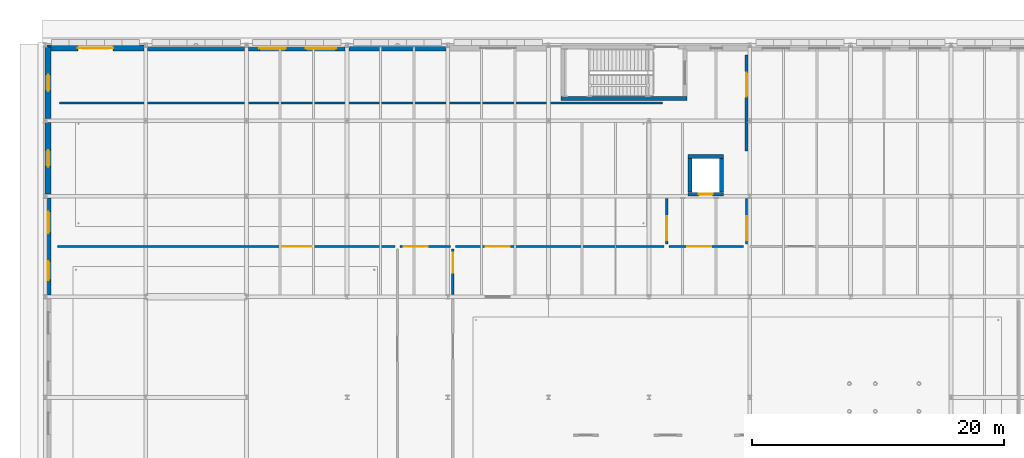
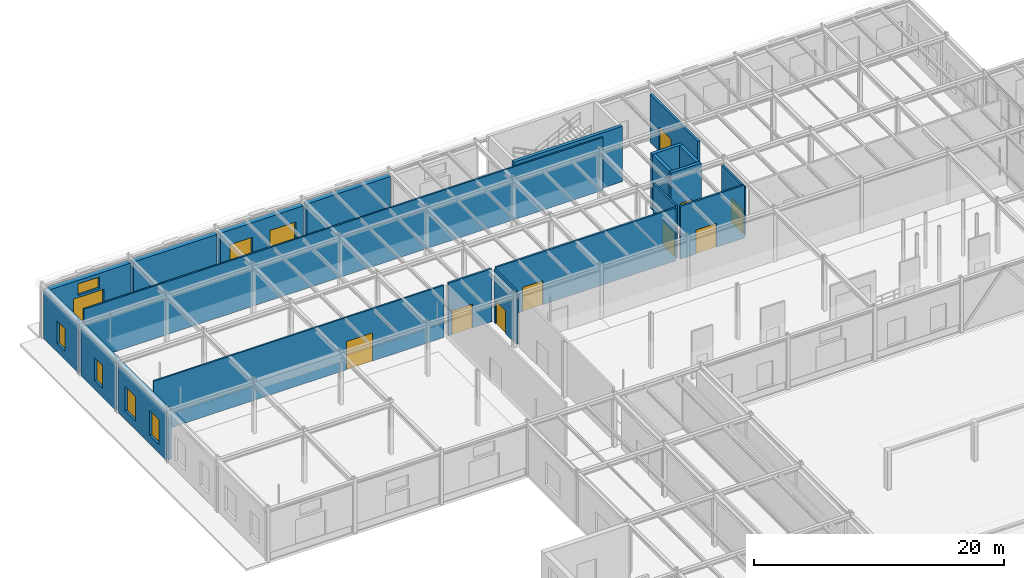
# One storey, part 81 of 129: 21 walls, 10 doors, 7 windows, 17 openings.
"""IFC4 building model written with IfcOpenShell, lengths in metres."""

from ifc_helpers import new_model, si_unit, direction, frame, frame_2d, origin, place, context, subcontext, project, spatial, rectangle, extrude, material, layer, layer_set, type_object, element, fill, save


model = new_model("IFC4")

# Units and contexts
model_context = context("Model", 3, precision=1e-05, world=origin(), true_north=direction((0.0, 1.0)))
body_context = subcontext(model_context, "Body", "Model", "MODEL_VIEW")
ifc_project = project(units=[si_unit("LENGTHUNIT", "METRE"), si_unit("AREAUNIT", "SQUARE_METRE"), si_unit("VOLUMEUNIT", "CUBIC_METRE"), si_unit("PLANEANGLEUNIT", "RADIAN"), si_unit("MASSUNIT", "GRAM", prefix="KILO")], contexts=[model_context])

# Site, building, storey
site_placement = place(None, origin())
site = spatial("IfcSite", under=ifc_project, at=site_placement, CompositionType="ELEMENT")
building_placement = place(site_placement, origin())
building = spatial("IfcBuilding", under=site, at=building_placement, Name="Sundkrona Museum", CompositionType="ELEMENT")
storey_placement = place(building_placement, origin())
storey = spatial("IfcBuildingStorey", under=building, at=storey_placement, Name="L00", CompositionType="ELEMENT", Elevation=0.0)

# Wall
ifc_material_1 = material(Name="Concrete C40/50", Category="concrete")
ifc_layer_1 = layer(ifc_material_1, 0.300048828125)
ifc_layer_set_1 = layer_set([ifc_layer_1], Name="Concrete C40/50")
wall_type_1 = type_object("IfcWallType", Name="W-CORE-300", PredefinedType="SHEAR", material=ifc_layer_set_1)
wall_1_placement = place(storey_placement, frame((41.0, 109.75, 0.0), z_axis=(0.0, 0.0, 1.0), x_axis=(1.0, 0.0, 0.0)))
element("IfcWall", 1, at=wall_1_placement, inside=storey, type_object=wall_type_1, Name="L00 ST-3 Core Shear Wall South", PredefinedType="SHEAR", context=body_context, shape_type="SweptSolid", body=[
    extrude(rectangle(XDim=10.0, YDim=0.300048828125, at=frame_2d((5.0, 0.0))), origin(), (0.0, 0.0, 1.0), 5.39990234375),
])

# Wall, opening, door
wall_2_placement = place(storey_placement, frame((51.10009765625, 102.14990234375, 0.0), z_axis=(0.0, 0.0, 1.0), x_axis=(1.0, 0.0, 0.0)))
wall_2 = element("IfcWall", 2, at=wall_2_placement, inside=storey, type_object=wall_type_1, Name="L00 PL-3 Lift Shaft Wall South", PredefinedType="SHEAR", context=body_context, shape_type="SweptSolid", body=[
    extrude(rectangle(XDim=2.7998046875, YDim=0.300048828125, at=frame_2d((1.39990234375, 0.0))), origin(), (0.0, 0.0, 1.0), 5.39990234375),
])
opening_1_placement = place(wall_2_placement, frame((0.85009765625, 0.0, 0.0)))
opening_1 = element("IfcOpeningElement", 3, at=opening_1_placement, cuts=wall_2, Name="Opening LD-01", PredefinedType="OPENING", context=body_context, shape_type="SweptSolid", body=[
    extrude(rectangle(XDim=1.10009765625, YDim=2.14990234375, at=frame_2d((0.550048828125, 1.074951171875))), frame((0.0, 0.159912109375, 0.0), z_axis=(0.0, -1.0, 0.0), x_axis=(1.0, 0.0, 0.0)), (0.0, 0.0, 1.0), 0.320068359375),
])
ifc_material_2 = material(Name="Brushed Stainless Steel Lift Door", Category="steel")
door_type_1 = type_object("IfcDoorType", Name="LD-01", OperationType="SLIDING_TO_LEFT", PredefinedType="DOOR", material=ifc_material_2)
door_1_placement = place(opening_1_placement, origin())
door_1 = element("IfcDoor", 4, at=door_1_placement, inside=storey, type_object=door_type_1, Name="L00 North-West Gallery Passenger Lift PL-3 Landing Door DR-LIFT-PL-3-L00", OperationType="SLIDING_TO_LEFT", OverallHeight=2.14990234375, OverallWidth=1.10009765625, PredefinedType="DOOR", context=body_context, shape_type="SweptSolid", body=[
    extrude(rectangle(XDim=1.10009765625, YDim=2.14990234375, at=frame_2d((0.550048828125, 1.074951171875))), frame((0.0, 0.02490234375, 0.0), z_axis=(0.0, -1.0, 0.0), x_axis=(1.0, 0.0, 0.0)), (0.0, 0.0, 1.0), 0.050048828125),
])
fill(opening_1, door_1)

# Walls
wall_3_placement = place(storey_placement, frame((51.10009765625, 105.14990234375, 0.0), z_axis=(0.0, 0.0, 1.0), x_axis=(1.0, 0.0, 0.0)))
element("IfcWall", 5, at=wall_3_placement, inside=storey, type_object=wall_type_1, Name="L00 PL-3 Lift Shaft Wall North", PredefinedType="SHEAR", context=body_context, shape_type="SweptSolid", body=[
    extrude(rectangle(XDim=2.7998046875, YDim=0.300048828125, at=frame_2d((1.39990234375, 0.0))), origin(), (0.0, 0.0, 1.0), 5.39990234375),
])
for number, where, z_axis, x_axis, name in (
    (6, (51.25, 102.31005859375, 0.0), (0.0, 0.0, 1.0), (0.0, 1.0, 0.0), "L00 PL-3 Lift Shaft Wall West"),
    (7, (53.75, 102.31005859375, 0.0), (0.0, 0.0, 1.0), (0.0, 1.0, 0.0), "L00 PL-3 Lift Shaft Wall East"),
):
    element("IfcWall", number, at=place(storey_placement, frame(where, z_axis=z_axis, x_axis=x_axis)), inside=storey, type_object=wall_type_1, Name=name, PredefinedType="SHEAR", context=body_context, shape_type="SweptSolid", body=[
        extrude(rectangle(XDim=2.679931640625, YDim=0.300048828125, at=frame_2d((1.33984375, 0.0))), origin(), (0.0, 0.0, 1.0), 5.39990234375),
    ])

# Wall, opening, door
ifc_material_3 = material(Name="Autoclaved Aerated Masonry 225 mm", Category="masonry")
ifc_layer_2 = layer(ifc_material_3, 0.22509765625)
ifc_layer_set_2 = layer_set([ifc_layer_2], Name="Autoclaved Aerated Masonry 225 mm")
wall_type_2 = type_object("IfcWallType", Name="W-FF-225", PredefinedType="SOLIDWALL", material=ifc_layer_set_2)
wall_4_placement = place(storey_placement, frame((55.75, 105.60009765625, 0.0), z_axis=(0.0, 0.0, 1.0), x_axis=(0.0, 1.0, 0.0)))
wall_4 = element("IfcWall", 8, at=wall_4_placement, inside=storey, type_object=wall_type_2, Name="L00 Partition Core 3 Stair Lobby / Covered Cycle Store", PredefinedType="SOLIDWALL", context=body_context, shape_type="SweptSolid", body=[
    extrude(rectangle(XDim=7.599853515625, YDim=0.22509765625, at=frame_2d((3.7998046875, 0.0))), origin(), (0.0, 0.0, 1.0), 4.719970703125),
])
opening_2_placement = place(wall_4_placement, frame((4.30712890625, 0.0, 0.0)))
opening_2 = element("IfcOpeningElement", 9, at=opening_2_placement, cuts=wall_4, Name="Opening D-AUD-190", PredefinedType="OPENING", context=body_context, shape_type="SweptSolid", body=[
    extrude(rectangle(XDim=1.89990234375, YDim=2.35009765625, at=frame_2d((0.949951171875, 1.175048828125))), frame((0.0, 0.12255859375, 0.0), z_axis=(0.0, -1.0, 0.0), x_axis=(1.0, 0.0, 0.0)), (0.0, 0.0, 1.0), 0.2451171875),
])
ifc_material_4 = material(Name="Acoustic Oak Fire Door", Category="other")
door_type_2 = type_object("IfcDoorType", Name="D-AUD-190", OperationType="DOUBLE_DOOR_SINGLE_SWING", PredefinedType="DOOR", material=ifc_material_4)
door_2_placement = place(opening_2_placement, origin())
door_2 = element("IfcDoor", 10, at=door_2_placement, inside=storey, type_object=door_type_2, Name="L00 Interior Door DR-ADJ-L00-0037", OperationType="DOUBLE_DOOR_SINGLE_SWING", OverallHeight=2.35009765625, OverallWidth=1.89990234375, PredefinedType="DOOR", context=body_context, shape_type="SweptSolid", body=[
    extrude(rectangle(XDim=1.89990234375, YDim=2.35009765625, at=frame_2d((0.949951171875, 1.175048828125))), frame((0.0, 0.02490234375, 0.0), z_axis=(0.0, -1.0, 0.0), x_axis=(1.0, 0.0, 0.0)), (0.0, 0.0, 1.0), 0.050048828125),
])
fill(opening_2, door_2)

# Wall, openings, windows
ifc_material_5 = material(Name="Danian Limestone Ashlar Masonry 480 mm", Category="masonry")
ifc_layer_3 = layer(ifc_material_5, 0.47998046875)
ifc_layer_set_3 = layer_set([ifc_layer_3], Name="Danian Limestone Ashlar Masonry 480 mm")
wall_type_3 = type_object("IfcWallType", Name="W-LIM-480", PredefinedType="SOLIDWALL", material=ifc_layer_set_3)
wall_5_placement = place(storey_placement, frame((0.239990234375, 94.162109375, 0.0), z_axis=(0.0, 0.0, 1.0), x_axis=(0.0, 1.0, 0.0)))
wall_5 = element("IfcWall", 11, at=wall_5_placement, inside=storey, type_object=wall_type_3, Name="L00 Facade Wall 0104", PredefinedType="SOLIDWALL", context=body_context, shape_type="SweptSolid", body=[
    extrude(rectangle(XDim=7.67578125, YDim=0.47998046875, at=frame_2d((3.837890625, 0.0))), origin(), (0.0, 0.0, 1.0), 4.77490234375),
])
opening_3_placement = place(wall_5_placement, frame((1.1689453125, 0.0, 0.85009765625)))
opening_3 = element("IfcOpeningElement", 12, at=opening_3_placement, cuts=wall_5, Name="Opening WN-GL-150x240", PredefinedType="OPENING", context=body_context, shape_type="SweptSolid", body=[
    extrude(rectangle(XDim=1.5, YDim=2.39990234375, at=frame_2d((0.75, 1.199951171875))), frame((0.0, 0.25, 0.0), z_axis=(0.0, -1.0, 0.0), x_axis=(1.0, 0.0, 0.0)), (0.0, 0.0, 1.0), 0.5),
])
opening_4_placement = place(wall_5_placement, frame((4.906982421875, 0.0, 0.85009765625)))
opening_4 = element("IfcOpeningElement", 13, at=opening_4_placement, cuts=wall_5, Name="Opening WN-GL-170x240", PredefinedType="OPENING", context=body_context, shape_type="SweptSolid", body=[
    extrude(rectangle(XDim=1.699951171875, YDim=2.39990234375, at=frame_2d((0.85009765625, 1.199951171875))), frame((0.0, 0.25, 0.0), z_axis=(0.0, -1.0, 0.0), x_axis=(1.0, 0.0, 0.0)), (0.0, 0.0, 1.0), 0.5),
])
ifc_material_6 = material(Name="Triple Low-E Argon Glazing in Bronze-Anodised Aluminium", Category="aluminium")
window_type_1 = type_object("IfcWindowType", Name="WN-GL-150x240", PartitioningType="SINGLE_PANEL", PredefinedType="WINDOW", material=ifc_material_6)
window_1_placement = place(opening_3_placement, origin())
window_1 = element("IfcWindow", 14, at=window_1_placement, inside=storey, type_object=window_type_1, Name="L00 Finned wing deep-reveal gallery window 1500x2400 WIN-L00-0143", OverallHeight=2.39990234375, OverallWidth=1.5, PartitioningType="SINGLE_PANEL", PredefinedType="WINDOW", context=body_context, shape_type="SweptSolid", body=[
    extrude(rectangle(XDim=1.5, YDim=2.39990234375, at=frame_2d((0.75, 1.199951171875))), frame((0.0, 0.030029296875, 0.0), z_axis=(0.0, -1.0, 0.0), x_axis=(1.0, 0.0, 0.0)), (0.0, 0.0, 1.0), 0.06005859375),
])
fill(opening_3, window_1)
window_type_2 = type_object("IfcWindowType", Name="WN-GL-170x240", PartitioningType="DOUBLE_PANEL_VERTICAL", PredefinedType="WINDOW", material=ifc_material_6)
window_2_placement = place(opening_4_placement, origin())
window_2 = element("IfcWindow", 15, at=window_2_placement, inside=storey, type_object=window_type_2, Name="L00 Finned wing wide gallery window 1700x2400 WIN-L00-0144", OverallHeight=2.39990234375, OverallWidth=1.699951171875, PartitioningType="DOUBLE_PANEL_VERTICAL", PredefinedType="WINDOW", context=body_context, shape_type="SweptSolid", body=[
    extrude(rectangle(XDim=1.699951171875, YDim=2.39990234375, at=frame_2d((0.85009765625, 1.199951171875))), frame((0.0, 0.030029296875, 0.0), z_axis=(0.0, -1.0, 0.0), x_axis=(1.0, 0.0, 0.0)), (0.0, 0.0, 1.0), 0.06005859375),
])
fill(opening_4, window_2)

# Wall, opening, window
wall_6_placement = place(storey_placement, frame((0.239990234375, 102.162109375, 0.0), z_axis=(0.0, 0.0, 1.0), x_axis=(0.0, 1.0, 0.0)))
wall_6 = element("IfcWall", 16, at=wall_6_placement, inside=storey, type_object=wall_type_3, Name="L00 Facade Wall 0105", PredefinedType="SOLIDWALL", context=body_context, shape_type="SweptSolid", body=[
    extrude(rectangle(XDim=5.67578125, YDim=0.47998046875, at=frame_2d((2.837890625, 0.0))), origin(), (0.0, 0.0, 1.0), 4.77490234375),
])
opening_5_placement = place(wall_6_placement, frame((2.18798828125, 0.0, 0.85009765625)))
opening_5 = element("IfcOpeningElement", 17, at=opening_5_placement, cuts=wall_6, Name="Opening WN-GL-130x220", PredefinedType="OPENING", context=body_context, shape_type="SweptSolid", body=[
    extrude(rectangle(XDim=1.300048828125, YDim=2.199951171875, at=frame_2d((0.64990234375, 1.10009765625))), frame((0.0, 0.25, 0.0), z_axis=(0.0, -1.0, 0.0), x_axis=(1.0, 0.0, 0.0)), (0.0, 0.0, 1.0), 0.5),
])
window_type_3 = type_object("IfcWindowType", Name="WN-GL-130x220", PartitioningType="SINGLE_PANEL", PredefinedType="WINDOW", material=ifc_material_6)
window_3_placement = place(opening_5_placement, origin())
window_3 = element("IfcWindow", 18, at=window_3_placement, inside=storey, type_object=window_type_3, Name="L00 Cabinet gallery window 1300x2200 WIN-L00-0145", OverallHeight=2.199951171875, OverallWidth=1.300048828125, PartitioningType="SINGLE_PANEL", PredefinedType="WINDOW", context=body_context, shape_type="SweptSolid", body=[
    extrude(rectangle(XDim=1.300048828125, YDim=2.199951171875, at=frame_2d((0.64990234375, 1.10009765625))), frame((0.0, 0.030029296875, 0.0), z_axis=(0.0, -1.0, 0.0), x_axis=(1.0, 0.0, 0.0)), (0.0, 0.0, 1.0), 0.06005859375),
])
fill(opening_5, window_3)

wall_7_placement = place(storey_placement, frame((0.239990234375, 108.162109375, 0.0), z_axis=(0.0, 0.0, 1.0), x_axis=(0.0, 1.0, 0.0)))
wall_7 = element("IfcWall", 19, at=wall_7_placement, inside=storey, type_object=wall_type_3, Name="L00 Facade Wall 0106", PredefinedType="SOLIDWALL", context=body_context, shape_type="SweptSolid", body=[
    extrude(rectangle(XDim=5.67578125, YDim=0.47998046875, at=frame_2d((2.837890625, 0.0))), origin(), (0.0, 0.0, 1.0), 4.77490234375),
])
opening_6_placement = place(wall_7_placement, frame((2.18798828125, 0.0, 0.85009765625)))
opening_6 = element("IfcOpeningElement", 20, at=opening_6_placement, cuts=wall_7, Name="Opening WN-GL-130x220", PredefinedType="OPENING", context=body_context, shape_type="SweptSolid", body=[
    extrude(rectangle(XDim=1.300048828125, YDim=2.199951171875, at=frame_2d((0.64990234375, 1.10009765625))), frame((0.0, 0.25, 0.0), z_axis=(0.0, -1.0, 0.0), x_axis=(1.0, 0.0, 0.0)), (0.0, 0.0, 1.0), 0.5),
])
window_4_placement = place(opening_6_placement, origin())
window_4 = element("IfcWindow", 21, at=window_4_placement, inside=storey, type_object=window_type_3, Name="L00 Cabinet gallery window 1300x2200 WIN-L00-0146", OverallHeight=2.199951171875, OverallWidth=1.300048828125, PartitioningType="SINGLE_PANEL", PredefinedType="WINDOW", context=body_context, shape_type="SweptSolid", body=[
    extrude(rectangle(XDim=1.300048828125, YDim=2.199951171875, at=frame_2d((0.64990234375, 1.10009765625))), frame((0.0, 0.030029296875, 0.0), z_axis=(0.0, -1.0, 0.0), x_axis=(1.0, 0.0, 0.0)), (0.0, 0.0, 1.0), 0.06005859375),
])
fill(opening_6, window_4)

# Wall, openings, door, window
wall_8_placement = place(storey_placement, frame((0.152099609375, 113.760009765625, 0.0), z_axis=(0.0, 0.0, 1.0), x_axis=(1.0, 0.0, 0.0)))
wall_8 = element("IfcWall", 22, at=wall_8_placement, inside=storey, type_object=wall_type_3, Name="L00 Facade Wall 0107", PredefinedType="SOLIDWALL", context=body_context, shape_type="SweptSolid", body=[
    extrude(rectangle(XDim=7.69580078125, YDim=0.47998046875, at=frame_2d((3.847900390625, 0.0))), origin(), (0.0, 0.0, 1.0), 4.77490234375),
])
opening_7_placement = place(wall_8_placement, frame((2.447998046875, 0.0, 0.0)))
opening_7 = element("IfcOpeningElement", 23, at=opening_7_placement, cuts=wall_8, Name="Opening D-EX-280", PredefinedType="OPENING", context=body_context, shape_type="SweptSolid", body=[
    extrude(rectangle(XDim=2.800048828125, YDim=3.10009765625, at=frame_2d((1.39990234375, 1.550048828125))), frame((0.0, 0.25, 0.0), z_axis=(0.0, -1.0, 0.0), x_axis=(1.0, 0.0, 0.0)), (0.0, 0.0, 1.0), 0.5),
])
opening_8_placement = place(wall_8_placement, frame((2.847900390625, 0.0, 3.320068359375)))
opening_8 = element("IfcOpeningElement", 24, at=opening_8_placement, cuts=wall_8, Name="Opening WN-CL-200x110", PredefinedType="OPENING", context=body_context, shape_type="SweptSolid", body=[
    extrude(rectangle(XDim=2.0, YDim=1.10009765625, at=frame_2d((1.0, 0.550048828125))), frame((0.0, 0.25, 0.0), z_axis=(0.0, -1.0, 0.0), x_axis=(1.0, 0.0, 0.0)), (0.0, 0.0, 1.0), 0.5),
])
ifc_material_7 = material(Name="Bronze and Triple-Glazed Entrance Door", Category="other")
door_type_3 = type_object("IfcDoorType", Name="D-EX-280", OperationType="DOUBLE_DOOR_SINGLE_SWING", PredefinedType="DOOR", material=ifc_material_7)
door_3_placement = place(opening_7_placement, origin())
door_3 = element("IfcDoor", 25, at=door_3_placement, inside=storey, type_object=door_type_3, Name="L00 Exterior Door D-EX-280 DR-FE-V3N-0", OperationType="DOUBLE_DOOR_SINGLE_SWING", OverallHeight=3.10009765625, OverallWidth=2.800048828125, PredefinedType="DOOR", context=body_context, shape_type="SweptSolid", body=[
    extrude(rectangle(XDim=2.800048828125, YDim=3.10009765625, at=frame_2d((1.39990234375, 1.550048828125))), frame((0.0, 0.02490234375, 0.0), z_axis=(0.0, -1.0, 0.0), x_axis=(1.0, 0.0, 0.0)), (0.0, 0.0, 1.0), 0.050048828125),
])
fill(opening_7, door_3)
window_type_4 = type_object("IfcWindowType", Name="WN-CL-200x110", PartitioningType="DOUBLE_PANEL_HORIZONTAL", PredefinedType="WINDOW", material=ifc_material_6)
window_5_placement = place(opening_8_placement, origin())
window_5 = element("IfcWindow", 26, at=window_5_placement, inside=storey, type_object=window_type_4, Name="L00 Archive foyer clerestory window 2000x1100 WIN-L00-0147", OverallHeight=1.10009765625, OverallWidth=2.0, PartitioningType="DOUBLE_PANEL_HORIZONTAL", PredefinedType="WINDOW", context=body_context, shape_type="SweptSolid", body=[
    extrude(rectangle(XDim=2.0, YDim=1.10009765625, at=frame_2d((1.0, 0.550048828125))), frame((0.0, 0.030029296875, 0.0), z_axis=(0.0, -1.0, 0.0), x_axis=(1.0, 0.0, 0.0)), (0.0, 0.0, 1.0), 0.06005859375),
])
fill(opening_8, window_5)

# Wall
wall_9_placement = place(storey_placement, frame((8.152099609375, 113.760009765625, 0.0), z_axis=(0.0, 0.0, 1.0), x_axis=(1.0, 0.0, 0.0)))
element("IfcWall", 27, at=wall_9_placement, inside=storey, type_object=wall_type_3, Name="L00 Facade Wall 0108", PredefinedType="SOLIDWALL", context=body_context, shape_type="SweptSolid", body=[
    extrude(rectangle(XDim=7.69580078125, YDim=0.47998046875, at=frame_2d((3.847900390625, 0.0))), origin(), (0.0, 0.0, 1.0), 4.77490234375),
])

# Wall, openings, windows
wall_10_placement = place(storey_placement, frame((16.152099609375, 113.760009765625, 0.0), z_axis=(0.0, 0.0, 1.0), x_axis=(1.0, 0.0, 0.0)))
wall_10 = element("IfcWall", 28, at=wall_10_placement, inside=storey, type_object=wall_type_3, Name="L00 Facade Wall 0109", PredefinedType="SOLIDWALL", context=body_context, shape_type="SweptSolid", body=[
    extrude(rectangle(XDim=7.69580078125, YDim=0.47998046875, at=frame_2d((3.847900390625, 0.0))), origin(), (0.0, 0.0, 1.0), 4.77490234375),
])
opening_9_placement = place(wall_10_placement, frame((0.8740234375, 0.0, 0.85009765625)))
opening_9 = element("IfcOpeningElement", 29, at=opening_9_placement, cuts=wall_10, Name="Opening WN-GL-210x250", PredefinedType="OPENING", context=body_context, shape_type="SweptSolid", body=[
    extrude(rectangle(XDim=2.10009765625, YDim=2.5, at=frame_2d((1.050048828125, 1.25))), frame((0.0, 0.25, 0.0), z_axis=(0.0, -1.0, 0.0), x_axis=(1.0, 0.0, 0.0)), (0.0, 0.0, 1.0), 0.5),
])
opening_10_placement = place(wall_10_placement, frame((4.572021484375, 0.0, 0.85009765625)))
opening_10 = element("IfcOpeningElement", 30, at=opening_10_placement, cuts=wall_10, Name="Opening WN-GL-240x260", PredefinedType="OPENING", context=body_context, shape_type="SweptSolid", body=[
    extrude(rectangle(XDim=2.39990234375, YDim=2.60009765625, at=frame_2d((1.199951171875, 1.300048828125))), frame((0.0, 0.25, 0.0), z_axis=(0.0, -1.0, 0.0), x_axis=(1.0, 0.0, 0.0)), (0.0, 0.0, 1.0), 0.5),
])
window_type_5 = type_object("IfcWindowType", Name="WN-GL-210x250", PartitioningType="DOUBLE_PANEL_VERTICAL", PredefinedType="WINDOW", material=ifc_material_6)
window_6_placement = place(opening_9_placement, origin())
window_6 = element("IfcWindow", 31, at=window_6_placement, inside=storey, type_object=window_type_5, Name="L00 Botanical court outlook window 2100x2500 WIN-L00-0148", OverallHeight=2.5, OverallWidth=2.10009765625, PartitioningType="DOUBLE_PANEL_VERTICAL", PredefinedType="WINDOW", context=body_context, shape_type="SweptSolid", body=[
    extrude(rectangle(XDim=2.10009765625, YDim=2.5, at=frame_2d((1.050048828125, 1.25))), frame((0.0, 0.030029296875, 0.0), z_axis=(0.0, -1.0, 0.0), x_axis=(1.0, 0.0, 0.0)), (0.0, 0.0, 1.0), 0.06005859375),
])
fill(opening_9, window_6)
window_type_6 = type_object("IfcWindowType", Name="WN-GL-240x260", PartitioningType="TRIPLE_PANEL_VERTICAL", PredefinedType="WINDOW", material=ifc_material_6)
window_7_placement = place(opening_10_placement, origin())
window_7 = element("IfcWindow", 32, at=window_7_placement, inside=storey, type_object=window_type_6, Name="L00 Cloister garden picture window 2400x2600 WIN-L00-0149", OverallHeight=2.60009765625, OverallWidth=2.39990234375, PartitioningType="TRIPLE_PANEL_VERTICAL", PredefinedType="WINDOW", context=body_context, shape_type="SweptSolid", body=[
    extrude(rectangle(XDim=2.39990234375, YDim=2.60009765625, at=frame_2d((1.199951171875, 1.300048828125))), frame((0.0, 0.030029296875, 0.0), z_axis=(0.0, -1.0, 0.0), x_axis=(1.0, 0.0, 0.0)), (0.0, 0.0, 1.0), 0.06005859375),
])
fill(opening_10, window_7)

# Wall
wall_11_placement = place(storey_placement, frame((24.152099609375, 113.760009765625, 0.0), z_axis=(0.0, 0.0, 1.0), x_axis=(1.0, 0.0, 0.0)))
element("IfcWall", 33, at=wall_11_placement, inside=storey, type_object=wall_type_3, Name="L00 Facade Wall 0110", PredefinedType="SOLIDWALL", context=body_context, shape_type="SweptSolid", body=[
    extrude(rectangle(XDim=7.69580078125, YDim=0.47998046875, at=frame_2d((3.847900390625, 0.0))), origin(), (0.0, 0.0, 1.0), 4.8349609375),
])

# Wall, opening, door
ifc_material_8 = material(Name="Acoustic Gypsum Partition Board 150 mm", Category="other")
ifc_layer_4 = layer(ifc_material_8, 0.14990234375)
ifc_layer_set_4 = layer_set([ifc_layer_4], Name="Acoustic Gypsum Partition Board 150 mm")
wall_type_4 = type_object("IfcWallType", Name="W-PT-150", PredefinedType="PARTITIONING", material=ifc_layer_set_4)
wall_12_placement = place(storey_placement, frame((1.0, 98.0, 0.0), z_axis=(0.0, 0.0, 1.0), x_axis=(1.0, 0.0, 0.0)))
wall_12 = element("IfcWall", 34, at=wall_12_placement, inside=storey, type_object=wall_type_4, Name="L00 Partition Permanent Visual Arts Gallery / Temporary Exhibition Hall", PredefinedType="PARTITIONING", context=body_context, shape_type="SweptSolid", body=[
    extrude(rectangle(XDim=26.800048828125, YDim=0.14990234375, at=frame_2d((13.39990234375, 0.0))), origin(), (0.0, 0.0, 1.0), 5.10009765625),
])
opening_11_placement = place(wall_12_placement, frame((17.800048828125, 0.0, 0.0)))
opening_11 = element("IfcOpeningElement", 35, at=opening_11_placement, cuts=wall_12, Name="Opening D-GAL-240", PredefinedType="OPENING", context=body_context, shape_type="SweptSolid", body=[
    extrude(rectangle(XDim=2.39990234375, YDim=2.75, at=frame_2d((1.199951171875, 1.375))), frame((0.0, 0.0849609375, 0.0), z_axis=(0.0, -1.0, 0.0), x_axis=(1.0, 0.0, 0.0)), (0.0, 0.0, 1.0), 0.169921875),
])
ifc_material_9 = material(Name="European Oak and Bronze Portal", Category="other")
door_type_4 = type_object("IfcDoorType", Name="D-GAL-240", OperationType="DOUBLE_DOOR_DOUBLE_SWING", PredefinedType="DOOR", material=ifc_material_9)
door_4_placement = place(opening_11_placement, origin())
door_4 = element("IfcDoor", 36, at=door_4_placement, inside=storey, type_object=door_type_4, Name="L00 Interior Door DR-ADJ-L00-0068", OperationType="DOUBLE_DOOR_DOUBLE_SWING", OverallHeight=2.75, OverallWidth=2.39990234375, PredefinedType="DOOR", context=body_context, shape_type="SweptSolid", body=[
    extrude(rectangle(XDim=2.39990234375, YDim=2.75, at=frame_2d((1.199951171875, 1.375))), frame((0.0, 0.02490234375, 0.0), z_axis=(0.0, -1.0, 0.0), x_axis=(1.0, 0.0, 0.0)), (0.0, 0.0, 1.0), 0.050048828125),
])
fill(opening_11, door_4)

# Wall
wall_13_placement = place(storey_placement, frame((1.14990234375, 109.39990234375, 0.0), z_axis=(0.0, 0.0, 1.0), x_axis=(1.0, 0.0, 0.0)))
element("IfcWall", 37, at=wall_13_placement, inside=storey, type_object=wall_type_4, Name="L00 Temporary Exhibition Hall Enclosure Wall N", PredefinedType="PARTITIONING", context=body_context, shape_type="SweptSolid", body=[
    extrude(rectangle(XDim=47.900146484375, YDim=0.14990234375, at=frame_2d((23.9501953125, 0.0))), origin(), (0.0, 0.0, 1.0), 5.159912109375),
])

# Wall, opening, door
ifc_material_10 = material(Name="Fire-rated Gypsum Partition Board 175 mm", Category="other")
ifc_layer_5 = layer(ifc_material_10, 0.175048828125)
ifc_layer_set_5 = layer_set([ifc_layer_5], Name="Fire-rated Gypsum Partition Board 175 mm")
wall_type_5 = type_object("IfcWallType", Name="W-PT-175", PredefinedType="PARTITIONING", material=ifc_layer_set_5)
wall_14_placement = place(storey_placement, frame((49.60009765625, 98.0, 0.0), z_axis=(0.0, 0.0, 1.0), x_axis=(1.0, 0.0, 0.0)))
wall_14 = element("IfcWall", 38, at=wall_14_placement, inside=storey, type_object=wall_type_5, Name="L00 Partition North-West Lift Lobby / North-West Gallery Corridor", PredefinedType="PARTITIONING", context=body_context, shape_type="SweptSolid", body=[
    extrude(rectangle(XDim=5.89990234375, YDim=0.175048828125, at=frame_2d((2.949951171875, 0.0))), origin(), (0.0, 0.0, 1.0), 5.159912109375),
])
opening_12_placement = place(wall_14_placement, frame((1.433349609375, 0.0, 0.0)))
opening_12 = element("IfcOpeningElement", 39, at=opening_12_placement, cuts=wall_14, Name="Opening D-AUD-190", PredefinedType="OPENING", context=body_context, shape_type="SweptSolid", body=[
    extrude(rectangle(XDim=1.89990234375, YDim=2.35009765625, at=frame_2d((0.949951171875, 1.175048828125))), frame((0.0, 0.097412109375, 0.0), z_axis=(0.0, -1.0, 0.0), x_axis=(1.0, 0.0, 0.0)), (0.0, 0.0, 1.0), 0.195068359375),
])
door_5_placement = place(opening_12_placement, origin())
door_5 = element("IfcDoor", 40, at=door_5_placement, inside=storey, type_object=door_type_2, Name="L00 Interior Door DR-ADJ-L00-0038", OperationType="DOUBLE_DOOR_SINGLE_SWING", OverallHeight=2.35009765625, OverallWidth=1.89990234375, PredefinedType="DOOR", context=body_context, shape_type="SweptSolid", body=[
    extrude(rectangle(XDim=1.89990234375, YDim=2.35009765625, at=frame_2d((0.949951171875, 1.175048828125))), frame((0.0, 0.02490234375, 0.0), z_axis=(0.0, -1.0, 0.0), x_axis=(1.0, 0.0, 0.0)), (0.0, 0.0, 1.0), 0.050048828125),
])
fill(opening_12, door_5)

wall_15_placement = place(storey_placement, frame((49.39990234375, 98.199951171875, 0.0), z_axis=(0.0, 0.0, 1.0), x_axis=(0.0, 1.0, 0.0)))
wall_15 = element("IfcWall", 41, at=wall_15_placement, inside=storey, type_object=wall_type_5, Name="L00 Partition North-West Lift Lobby / Temporary Exhibition Hall", PredefinedType="PARTITIONING", context=body_context, shape_type="SweptSolid", body=[
    extrude(rectangle(XDim=3.60009765625, YDim=0.175048828125, at=frame_2d((1.800048828125, 0.0))), origin(), (0.0, 0.0, 1.0), 5.159912109375),
])
opening_13_placement = place(wall_15_placement, frame((0.300048828125, 0.0, 0.0)))
opening_13 = element("IfcOpeningElement", 42, at=opening_13_placement, cuts=wall_15, Name="Opening D-AUD-190", PredefinedType="OPENING", context=body_context, shape_type="SweptSolid", body=[
    extrude(rectangle(XDim=1.89990234375, YDim=2.35009765625, at=frame_2d((0.949951171875, 1.175048828125))), frame((0.0, 0.097412109375, 0.0), z_axis=(0.0, -1.0, 0.0), x_axis=(1.0, 0.0, 0.0)), (0.0, 0.0, 1.0), 0.195068359375),
])
door_6_placement = place(opening_13_placement, origin())
door_6 = element("IfcDoor", 43, at=door_6_placement, inside=storey, type_object=door_type_2, Name="L00 Interior Door DR-ADJ-L00-0039", OperationType="DOUBLE_DOOR_SINGLE_SWING", OverallHeight=2.35009765625, OverallWidth=1.89990234375, PredefinedType="DOOR", context=body_context, shape_type="SweptSolid", body=[
    extrude(rectangle(XDim=1.89990234375, YDim=2.35009765625, at=frame_2d((0.949951171875, 1.175048828125))), frame((0.0, 0.02490234375, 0.0), z_axis=(0.0, -1.0, 0.0), x_axis=(1.0, 0.0, 0.0)), (0.0, 0.0, 1.0), 0.050048828125),
])
fill(opening_13, door_6)

wall_16_placement = place(storey_placement, frame((55.75, 98.199951171875, 0.0), z_axis=(0.0, 0.0, 1.0), x_axis=(0.0, 1.0, 0.0)))
wall_16 = element("IfcWall", 44, at=wall_16_placement, inside=storey, type_object=wall_type_5, Name="L00 Partition North-West Lift Lobby / Covered Cycle Store", PredefinedType="PARTITIONING", context=body_context, shape_type="SweptSolid", body=[
    extrude(rectangle(XDim=3.60009765625, YDim=0.175048828125, at=frame_2d((1.800048828125, 0.0))), origin(), (0.0, 0.0, 1.0), 4.719970703125),
])
opening_14_placement = place(wall_16_placement, frame((0.300048828125, 0.0, 0.0)))
opening_14 = element("IfcOpeningElement", 45, at=opening_14_placement, cuts=wall_16, Name="Opening D-AUD-190", PredefinedType="OPENING", context=body_context, shape_type="SweptSolid", body=[
    extrude(rectangle(XDim=1.89990234375, YDim=2.35009765625, at=frame_2d((0.949951171875, 1.175048828125))), frame((0.0, 0.097412109375, 0.0), z_axis=(0.0, -1.0, 0.0), x_axis=(1.0, 0.0, 0.0)), (0.0, 0.0, 1.0), 0.195068359375),
])
door_7_placement = place(opening_14_placement, origin())
door_7 = element("IfcDoor", 46, at=door_7_placement, inside=storey, type_object=door_type_2, Name="L00 Interior Door DR-ADJ-L00-0040", OperationType="DOUBLE_DOOR_SINGLE_SWING", OverallHeight=2.35009765625, OverallWidth=1.89990234375, PredefinedType="DOOR", context=body_context, shape_type="SweptSolid", body=[
    extrude(rectangle(XDim=1.89990234375, YDim=2.35009765625, at=frame_2d((0.949951171875, 1.175048828125))), frame((0.0, 0.02490234375, 0.0), z_axis=(0.0, -1.0, 0.0), x_axis=(1.0, 0.0, 0.0)), (0.0, 0.0, 1.0), 0.050048828125),
])
fill(opening_14, door_7)

wall_17_placement = place(storey_placement, frame((32.39990234375, 94.199951171875, 0.0), z_axis=(0.0, 0.0, 1.0), x_axis=(0.0, 1.0, 0.0)))
wall_17 = element("IfcWall", 47, at=wall_17_placement, inside=storey, type_object=wall_type_5, Name="L00 Partition North-West Gallery Corridor / West Cloister Corridor", PredefinedType="PARTITIONING", context=body_context, shape_type="SweptSolid", body=[
    extrude(rectangle(XDim=3.60009765625, YDim=0.175048828125, at=frame_2d((1.800048828125, 0.0))), origin(), (0.0, 0.0, 1.0), 5.159912109375),
])
opening_15_placement = place(wall_17_placement, frame((1.699951171875, 0.0, 0.0)))
opening_15 = element("IfcOpeningElement", 48, at=opening_15_placement, cuts=wall_17, Name="Opening D-CMP-160", PredefinedType="OPENING", context=body_context, shape_type="SweptSolid", body=[
    extrude(rectangle(XDim=1.60009765625, YDim=2.25, at=frame_2d((0.800048828125, 1.125))), frame((0.0, 0.097412109375, 0.0), z_axis=(0.0, -1.0, 0.0), x_axis=(1.0, 0.0, 0.0)), (0.0, 0.0, 1.0), 0.195068359375),
])
ifc_material_11 = material(Name="Glazed Steel Fire Screen Door", Category="steel")
door_type_5 = type_object("IfcDoorType", Name="D-CMP-160", OperationType="DOUBLE_DOOR_SINGLE_SWING", PredefinedType="DOOR", material=ifc_material_11)
door_8_placement = place(opening_15_placement, origin())
door_8 = element("IfcDoor", 49, at=door_8_placement, inside=storey, type_object=door_type_5, Name="L00 Interior Door DR-ADJ-L00-0055", OperationType="DOUBLE_DOOR_SINGLE_SWING", OverallHeight=2.25, OverallWidth=1.60009765625, PredefinedType="DOOR", context=body_context, shape_type="SweptSolid", body=[
    extrude(rectangle(XDim=1.60009765625, YDim=2.25, at=frame_2d((0.800048828125, 1.125))), frame((0.0, 0.02490234375, 0.0), z_axis=(0.0, -1.0, 0.0), x_axis=(1.0, 0.0, 0.0)), (0.0, 0.0, 1.0), 0.050048828125),
])
fill(opening_15, door_8)

wall_18_placement = place(storey_placement, frame((32.60009765625, 98.0, 0.0), z_axis=(0.0, 0.0, 1.0), x_axis=(1.0, 0.0, 0.0)))
wall_18 = element("IfcWall", 50, at=wall_18_placement, inside=storey, type_object=wall_type_5, Name="L00 Partition North-West Gallery Corridor / Temporary Exhibition Hall", PredefinedType="PARTITIONING", context=body_context, shape_type="SweptSolid", body=[
    extrude(rectangle(XDim=16.599853515625, YDim=0.175048828125, at=frame_2d((8.2998046875, 0.0))), origin(), (0.0, 0.0, 1.0), 5.159912109375),
])
opening_16_placement = place(wall_18_placement, frame((2.4150390625, 0.0, 0.0)))
opening_16 = element("IfcOpeningElement", 51, at=opening_16_placement, cuts=wall_18, Name="Opening D-AUD-190", PredefinedType="OPENING", context=body_context, shape_type="SweptSolid", body=[
    extrude(rectangle(XDim=1.89990234375, YDim=2.35009765625, at=frame_2d((0.949951171875, 1.175048828125))), frame((0.0, 0.097412109375, 0.0), z_axis=(0.0, -1.0, 0.0), x_axis=(1.0, 0.0, 0.0)), (0.0, 0.0, 1.0), 0.195068359375),
])
door_9_placement = place(opening_16_placement, origin())
door_9 = element("IfcDoor", 52, at=door_9_placement, inside=storey, type_object=door_type_2, Name="L00 Interior Door DR-ADJ-L00-0057", OperationType="DOUBLE_DOOR_SINGLE_SWING", OverallHeight=2.35009765625, OverallWidth=1.89990234375, PredefinedType="DOOR", context=body_context, shape_type="SweptSolid", body=[
    extrude(rectangle(XDim=1.89990234375, YDim=2.35009765625, at=frame_2d((0.949951171875, 1.175048828125))), frame((0.0, 0.02490234375, 0.0), z_axis=(0.0, -1.0, 0.0), x_axis=(1.0, 0.0, 0.0)), (0.0, 0.0, 1.0), 0.050048828125),
])
fill(opening_16, door_9)

wall_19_placement = place(storey_placement, frame((28.199951171875, 98.0, 0.0), z_axis=(0.0, 0.0, 1.0), x_axis=(1.0, 0.0, 0.0)))
wall_19 = element("IfcWall", 53, at=wall_19_placement, inside=storey, type_object=wall_type_5, Name="L00 Partition West Cloister Corridor / Temporary Exhibition Hall", PredefinedType="PARTITIONING", context=body_context, shape_type="SweptSolid", body=[
    extrude(rectangle(XDim=4.0, YDim=0.175048828125, at=frame_2d((2.0, 0.0))), origin(), (0.0, 0.0, 1.0), 5.159912109375),
])
opening_17_placement = place(wall_19_placement, frame((0.300048828125, 0.0, 0.0)))
opening_17 = element("IfcOpeningElement", 54, at=opening_17_placement, cuts=wall_19, Name="Opening D-AUD-190", PredefinedType="OPENING", context=body_context, shape_type="SweptSolid", body=[
    extrude(rectangle(XDim=1.89990234375, YDim=2.35009765625, at=frame_2d((0.949951171875, 1.175048828125))), frame((0.0, 0.097412109375, 0.0), z_axis=(0.0, -1.0, 0.0), x_axis=(1.0, 0.0, 0.0)), (0.0, 0.0, 1.0), 0.195068359375),
])
door_10_placement = place(opening_17_placement, origin())
door_10 = element("IfcDoor", 55, at=door_10_placement, inside=storey, type_object=door_type_2, Name="L00 Interior Door DR-ADJ-L00-0066", OperationType="DOUBLE_DOOR_SINGLE_SWING", OverallHeight=2.35009765625, OverallWidth=1.89990234375, PredefinedType="DOOR", context=body_context, shape_type="SweptSolid", body=[
    extrude(rectangle(XDim=1.89990234375, YDim=2.35009765625, at=frame_2d((0.949951171875, 1.175048828125))), frame((0.0, 0.02490234375, 0.0), z_axis=(0.0, -1.0, 0.0), x_axis=(1.0, 0.0, 0.0)), (0.0, 0.0, 1.0), 0.050048828125),
])
fill(opening_17, door_10)

save(model, "model.ifc")
